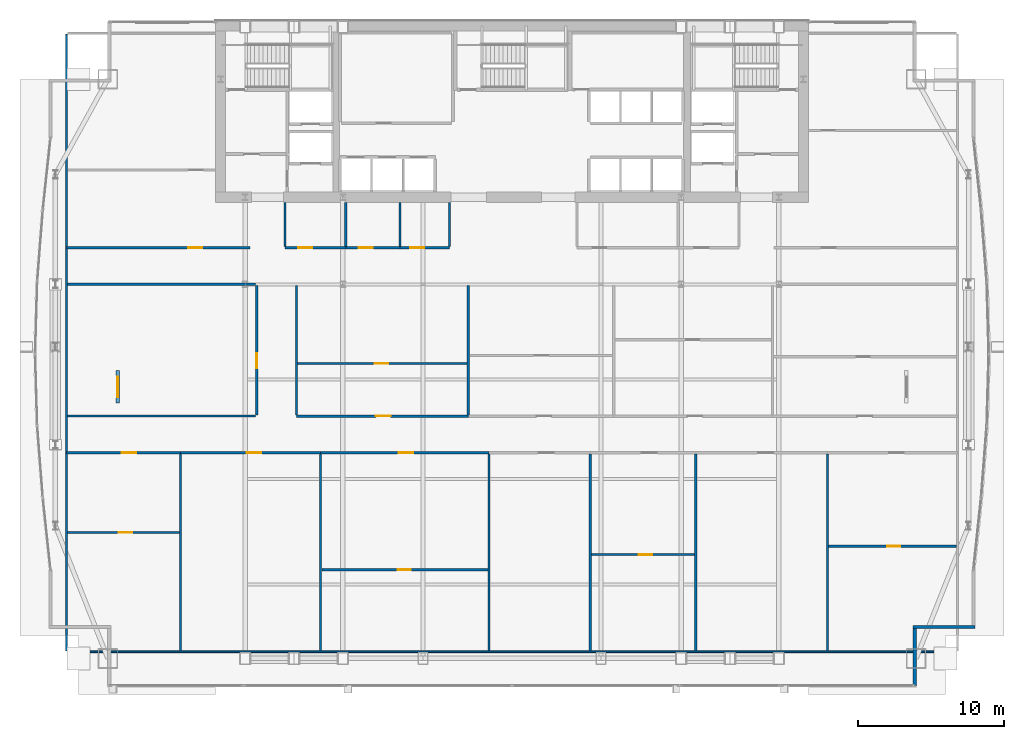
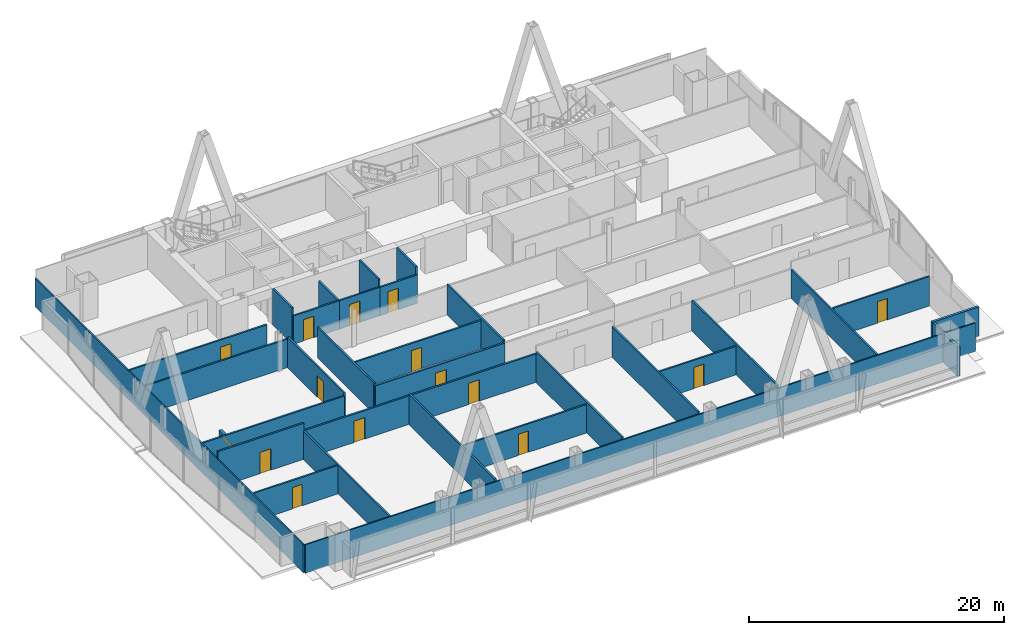
# One storey, part 25 of 30: 33 walls, 14 doors, 1 window, 15 openings.
"""IFC4 building model written with IfcOpenShell, lengths in metres."""

from ifc_helpers import new_model, si_unit, direction, frame, frame_2d, origin, place, context, subcontext, project, spatial, rectangle, extrude, material, layer, layer_set, type_object, element, fill, save


model = new_model("IFC4")

# Units and contexts
model_context = context("Model", 3, precision=1e-05, world=origin(), true_north=direction((0.0, 1.0)))
body_context = subcontext(model_context, "Body", "Model", "MODEL_VIEW")
ifc_project = project(units=[si_unit("LENGTHUNIT", "METRE"), si_unit("AREAUNIT", "SQUARE_METRE"), si_unit("VOLUMEUNIT", "CUBIC_METRE"), si_unit("PLANEANGLEUNIT", "RADIAN"), si_unit("MASSUNIT", "GRAM", prefix="KILO")], contexts=[model_context])

# Site, building, storey
site_placement = place(None, origin())
site = spatial("IfcSite", under=ifc_project, at=site_placement, CompositionType="ELEMENT")
building_placement = place(site_placement, origin())
building = spatial("IfcBuilding", under=site, at=building_placement, Name="Khoronbel Lancet Exchange", CompositionType="ELEMENT")
storey_placement = place(building_placement, frame((0.0, 0.0, 136.199951171875)))
storey = spatial("IfcBuildingStorey", under=building, at=storey_placement, Name="L33", CompositionType="ELEMENT", Elevation=136.199951171875)

# Walls
ifc_material_1 = material(Name="Precast concrete C40/50", Category="concrete")
ifc_layer_1 = layer(ifc_material_1, 0.25, Name="Precast concrete C40/50")
ifc_layer_set_1 = layer_set([ifc_layer_1], Name="Precast concrete C40/50")
wall_type_1 = type_object("IfcWallType", Name="WL-EXT250", PredefinedType="SOLIDWALL", material=ifc_layer_set_1)
wall_1_placement = place(storey_placement, frame((68.070068359375, 12.2900390625, 0.0), z_axis=(0.0, 0.0, 1.0), x_axis=(-1.0, 0.0, 0.0)))
element("IfcWall", 1, at=wall_1_placement, inside=storey, type_object=wall_type_1, Name="Level L33 notched-corner limestone pier 24", PredefinedType="SOLIDWALL", context=body_context, shape_type="SweptSolid", body=[
    extrude(rectangle(XDim=4.219970703125, YDim=0.219970703125, at=frame_2d((2.10986328125, 0.0))), origin(), (0.0, 0.0, 1.0), 2.830078125),
])
wall_2_placement = place(storey_placement, frame((63.9599609375, 12.179931640625, 0.0), z_axis=(0.0, 0.0, 1.0), x_axis=(0.0, -1.0, 0.0)))
element("IfcWall", 2, at=wall_2_placement, inside=storey, type_object=wall_type_1, Name="Level L33 notched-corner limestone pier 25", PredefinedType="SOLIDWALL", context=body_context, shape_type="SweptSolid", body=[
    extrude(rectangle(XDim=3.909912109375, YDim=0.219970703125, at=frame_2d((1.955078125, 0.0))), origin(), (0.0, 0.0, 1.0), 2.830078125),
])

# Wall, opening, window
ifc_material_2 = material(Name="Concrete C40/50", Category="concrete")
ifc_layer_2 = layer(ifc_material_2, 0.25, Name="Concrete C40/50")
ifc_layer_set_2 = layer_set([ifc_layer_2], Name="Concrete C40/50")
wall_type_2 = type_object("IfcWallType", Name="WL-PAR250", PredefinedType="PARAPET", material=ifc_layer_set_2)
wall_3_placement = place(storey_placement, frame((9.52490234375, 27.60009765625, 0.0), z_axis=(0.0, 0.0, 1.0), x_axis=(0.0, 1.0, 0.0)))
wall_3 = element("IfcWall", 3, at=wall_3_placement, inside=storey, type_object=wall_type_2, Name="Level L33 setback roof slab 1 smoke-ventilation skylight lantern curb", PredefinedType="PARAPET", context=body_context, shape_type="SweptSolid", body=[
    extrude(rectangle(XDim=2.199951171875, YDim=0.25, at=frame_2d((1.10009765625, 0.0))), origin(), (0.0, 0.0, 1.0), 0.880126953125),
])
opening_1_placement = place(wall_3_placement, frame((0.39990234375, 0.0, 0.159912109375)))
opening_1 = element("IfcOpeningElement", 4, at=opening_1_placement, cuts=wall_3, Name="Opening SK2", PredefinedType="OPENING", context=body_context, shape_type="SweptSolid", body=[
    extrude(rectangle(XDim=1.39990234375, YDim=0.5, at=frame_2d((0.699951171875, 0.25))), frame((0.0, 0.135009765625, 0.0), z_axis=(0.0, -1.0, 0.0), x_axis=(1.0, 0.0, 0.0)), (0.0, 0.0, 1.0), 0.27001953125),
])
ifc_material_3 = material(Name="Low-E Solar Control Insulating Glass", Category="glass")
window_type = type_object("IfcWindowType", Name="WIN-SK2", PartitioningType="SINGLE_PANEL", PredefinedType="SKYLIGHT", material=ifc_material_3)
window_placement = place(opening_1_placement, origin())
window = element("IfcWindow", 5, at=window_placement, inside=storey, type_object=window_type, Name="Level L33 setback roof slab 1 smoke-ventilation clerestory skylight", OverallHeight=0.5, OverallWidth=1.39990234375, PartitioningType="SINGLE_PANEL", PredefinedType="SKYLIGHT", context=body_context, shape_type="SweptSolid", body=[
    extrude(rectangle(XDim=1.39990234375, YDim=0.5, at=frame_2d((0.699951171875, 0.25))), frame((0.0, 0.030029296875, 0.0), z_axis=(0.0, -1.0, 0.0), x_axis=(1.0, 0.0, 0.0)), (0.0, 0.0, 1.0), 0.06005859375),
])
fill(opening_1, window)

# Walls
ifc_material_4 = material(Name="Acoustic Metal-Stud & Mineral-Wool Gypsum Partition 120 mm", Category="gypsum")
ifc_layer_3 = layer(ifc_material_4, 0.1201171875, Name="Acoustic Metal-Stud & Mineral-Wool Gypsum Partition 120 mm")
ifc_layer_set_3 = layer_set([ifc_layer_3], Name="Acoustic Metal-Stud & Mineral-Wool Gypsum Partition 120 mm")
wall_type_3 = type_object("IfcWallType", Name="WL-PRT120", PredefinedType="PARTITIONING", material=ifc_layer_set_3)
wall_4_placement = place(storey_placement, frame((20.949951171875, 38.280029296875, 0.0), z_axis=(0.0, 0.0, 1.0), x_axis=(0.0, 1.0, 0.0)))
element("IfcWall", 6, at=wall_4_placement, inside=storey, type_object=wall_type_3, Name="Level L33 interior partition PW-WC-0", PredefinedType="PARTITIONING", context=body_context, shape_type="SweptSolid", body=[
    extrude(rectangle(XDim=3.02001953125, YDim=0.14990234375, at=frame_2d((1.510009765625, 0.0))), origin(), (0.0, 0.0, 1.0), 3.43994140625),
])
wall_5_placement = place(storey_placement, frame((25.10009765625, 38.280029296875, 0.0), z_axis=(0.0, 0.0, 1.0), x_axis=(0.0, 1.0, 0.0)))
element("IfcWall", 7, at=wall_5_placement, inside=storey, type_object=wall_type_3, Name="Level L33 interior partition PW-WC-1", PredefinedType="PARTITIONING", context=body_context, shape_type="SweptSolid", body=[
    extrude(rectangle(XDim=3.02001953125, YDim=0.14990234375, at=frame_2d((1.510009765625, 0.0))), origin(), (0.0, 0.0, 1.0), 2.72998046875),
])
for number, where, z_axis, x_axis, name in (
    (8, (28.800048828125, 38.280029296875, 0.0), (0.0, 0.0, 1.0), (0.0, 1.0, 0.0), "Level L33 interior partition PW-WC-2"),
    (9, (32.179931640625, 38.280029296875, 0.0), (0.0, 0.0, 1.0), (0.0, 1.0, 0.0), "Level L33 interior partition PW-WC-3"),
):
    element("IfcWall", number, at=place(storey_placement, frame(where, z_axis=z_axis, x_axis=x_axis)), inside=storey, type_object=wall_type_3, Name=name, PredefinedType="PARTITIONING", context=body_context, shape_type="SweptSolid", body=[
        extrude(rectangle(XDim=3.02001953125, YDim=0.14990234375, at=frame_2d((1.510009765625, 0.0))), origin(), (0.0, 0.0, 1.0), 3.43994140625),
    ])

# Wall, opening, door
wall_6_placement = place(storey_placement, frame((6.094970703125, 18.7470703125, 0.0), z_axis=(0.0, 0.0, 1.0), x_axis=(1.0, 0.0, 0.0)))
wall_6 = element("IfcWall", 10, at=wall_6_placement, inside=storey, type_object=wall_type_3, Name="Level L33 interior partition PW-Z2S-H1", PredefinedType="PARTITIONING", context=body_context, shape_type="SweptSolid", body=[
    extrude(rectangle(XDim=7.644287109375, YDim=0.14990234375, at=frame_2d((3.822265625, 0.0))), origin(), (0.0, 0.0, 1.0), 2.72998046875),
])
opening_2_placement = place(wall_6_placement, frame((3.505126953125, 0.0, 0.0)))
opening_2 = element("IfcOpeningElement", 11, at=opening_2_placement, cuts=wall_6, Name="Opening D5", PredefinedType="OPENING", context=body_context, shape_type="SweptSolid", body=[
    extrude(rectangle(XDim=0.89990234375, YDim=2.050048828125, at=frame_2d((0.449951171875, 1.02490234375))), frame((0.0, 0.0849609375, 0.0), z_axis=(0.0, -1.0, 0.0), x_axis=(1.0, 0.0, 0.0)), (0.0, 0.0, 1.0), 0.169921875),
])
ifc_material_5 = material(Name="Acoustic Timber Pantry & Support Door", Category="wood")
door_type_1 = type_object("IfcDoorType", Name="DR-D5", OperationType="NOTDEFINED", PredefinedType="DOOR", material=ifc_material_5)
door_1_placement = place(opening_2_placement, origin())
door_1 = element("IfcDoor", 12, at=door_1_placement, inside=storey, type_object=door_type_1, Name="Z2S inner door 1 L33-1", OperationType="SINGLE_SWING_LEFT", OverallHeight=2.050048828125, OverallWidth=0.89990234375, PredefinedType="DOOR", context=body_context, shape_type="SweptSolid", body=[
    extrude(rectangle(XDim=0.89990234375, YDim=2.050048828125, at=frame_2d((0.449951171875, 1.02490234375))), frame((0.0, 0.02490234375, 0.0), z_axis=(0.0, -1.0, 0.0), x_axis=(1.0, 0.0, 0.0)), (0.0, 0.0, 1.0), 0.050048828125),
])
fill(opening_2, door_1)

wall_7_placement = place(storey_placement, frame((23.4619140625, 16.207275390625, 0.0), z_axis=(0.0, 0.0, 1.0), x_axis=(1.0, 0.0, 0.0)))
wall_7 = element("IfcWall", 13, at=wall_7_placement, inside=storey, type_object=wall_type_3, Name="Level L33 interior partition PW-Z2S-H3", PredefinedType="PARTITIONING", context=body_context, shape_type="SweptSolid", body=[
    extrude(rectangle(XDim=11.34423828125, YDim=0.14990234375, at=frame_2d((5.672119140625, 0.0))), origin(), (0.0, 0.0, 1.0), 2.72998046875),
])
opening_3_placement = place(wall_7_placement, frame((5.177001953125, 0.0, 0.0)))
opening_3 = element("IfcOpeningElement", 14, at=opening_3_placement, cuts=wall_7, Name="Opening D5", PredefinedType="OPENING", context=body_context, shape_type="SweptSolid", body=[
    extrude(rectangle(XDim=0.89990234375, YDim=2.050048828125, at=frame_2d((0.449951171875, 1.02490234375))), frame((0.0, 0.0849609375, 0.0), z_axis=(0.0, -1.0, 0.0), x_axis=(1.0, 0.0, 0.0)), (0.0, 0.0, 1.0), 0.169921875),
])
door_2_placement = place(opening_3_placement, origin())
door_2 = element("IfcDoor", 15, at=door_2_placement, inside=storey, type_object=door_type_1, Name="Z2S inner door 3 L33-1", OperationType="SINGLE_SWING_RIGHT", OverallHeight=2.050048828125, OverallWidth=0.89990234375, PredefinedType="DOOR", context=body_context, shape_type="SweptSolid", body=[
    extrude(rectangle(XDim=0.89990234375, YDim=2.050048828125, at=frame_2d((0.449951171875, 1.02490234375))), frame((0.0, 0.02490234375, 0.0), z_axis=(0.0, -1.0, 0.0), x_axis=(1.0, 0.0, 0.0)), (0.0, 0.0, 1.0), 0.050048828125),
])
fill(opening_3, door_2)

wall_8_placement = place(storey_placement, frame((41.86865234375, 17.237548828125, 0.0), z_axis=(0.0, 0.0, 1.0), x_axis=(1.0, 0.0, 0.0)))
wall_8 = element("IfcWall", 16, at=wall_8_placement, inside=storey, type_object=wall_type_3, Name="Level L33 interior partition PW-Z2S-H5", PredefinedType="PARTITIONING", context=body_context, shape_type="SweptSolid", body=[
    extrude(rectangle(XDim=7.053955078125, YDim=0.14990234375, at=frame_2d((3.52685546875, 0.0))), origin(), (0.0, 0.0, 1.0), 2.72998046875),
])
opening_4_placement = place(wall_8_placement, frame((3.246337890625, 0.0, 0.0)))
opening_4 = element("IfcOpeningElement", 17, at=opening_4_placement, cuts=wall_8, Name="Opening D5", PredefinedType="OPENING", context=body_context, shape_type="SweptSolid", body=[
    extrude(rectangle(XDim=0.89990234375, YDim=2.050048828125, at=frame_2d((0.449951171875, 1.02490234375))), frame((0.0, 0.0849609375, 0.0), z_axis=(0.0, -1.0, 0.0), x_axis=(1.0, 0.0, 0.0)), (0.0, 0.0, 1.0), 0.169921875),
])
door_3_placement = place(opening_4_placement, origin())
door_3 = element("IfcDoor", 18, at=door_3_placement, inside=storey, type_object=door_type_1, Name="Z2S inner door 5 L33-1", OperationType="SINGLE_SWING_LEFT", OverallHeight=2.050048828125, OverallWidth=0.89990234375, PredefinedType="DOOR", context=body_context, shape_type="SweptSolid", body=[
    extrude(rectangle(XDim=0.89990234375, YDim=2.050048828125, at=frame_2d((0.449951171875, 1.02490234375))), frame((0.0, 0.02490234375, 0.0), z_axis=(0.0, -1.0, 0.0), x_axis=(1.0, 0.0, 0.0)), (0.0, 0.0, 1.0), 0.050048828125),
])
fill(opening_4, door_3)

wall_9_placement = place(storey_placement, frame((58.0703125, 17.81103515625, 0.0), z_axis=(0.0, 0.0, 1.0), x_axis=(1.0, 0.0, 0.0)))
wall_9 = element("IfcWall", 19, at=wall_9_placement, inside=storey, type_object=wall_type_3, Name="Level L33 interior partition PW-Z2S-H7", PredefinedType="PARTITIONING", context=body_context, shape_type="SweptSolid", body=[
    extrude(rectangle(XDim=8.734619140625, YDim=0.14990234375, at=frame_2d((4.3671875, 0.0))), origin(), (0.0, 0.0, 1.0), 2.830078125),
])
opening_5_placement = place(wall_9_placement, frame((3.995849609375, 0.0, 0.0)))
opening_5 = element("IfcOpeningElement", 20, at=opening_5_placement, cuts=wall_9, Name="Opening D5", PredefinedType="OPENING", context=body_context, shape_type="SweptSolid", body=[
    extrude(rectangle(XDim=0.89990234375, YDim=2.050048828125, at=frame_2d((0.449951171875, 1.02490234375))), frame((0.0, 0.0849609375, 0.0), z_axis=(0.0, -1.0, 0.0), x_axis=(1.0, 0.0, 0.0)), (0.0, 0.0, 1.0), 0.169921875),
])
door_4_placement = place(opening_5_placement, origin())
door_4 = element("IfcDoor", 21, at=door_4_placement, inside=storey, type_object=door_type_1, Name="Z2S inner door 7 L33-1", OperationType="SINGLE_SWING_RIGHT", OverallHeight=2.050048828125, OverallWidth=0.89990234375, PredefinedType="DOOR", context=body_context, shape_type="SweptSolid", body=[
    extrude(rectangle(XDim=0.89990234375, YDim=2.050048828125, at=frame_2d((0.449951171875, 1.02490234375))), frame((0.0, 0.02490234375, 0.0), z_axis=(0.0, -1.0, 0.0), x_axis=(1.0, 0.0, 0.0)), (0.0, 0.0, 1.0), 0.050048828125),
])
fill(opening_5, door_4)

wall_10_placement = place(storey_placement, frame((21.81005859375, 30.300048828125, 0.0), z_axis=(0.0, 0.0, 1.0), x_axis=(1.0, 0.0, 0.0)))
wall_10 = element("IfcWall", 22, at=wall_10_placement, inside=storey, type_object=wall_type_3, Name="Level L33 interior partition PW-Z2N-H1", PredefinedType="PARTITIONING", context=body_context, shape_type="SweptSolid", body=[
    extrude(rectangle(XDim=11.576416015625, YDim=0.14990234375, at=frame_2d((5.7880859375, 0.0))), origin(), (0.0, 0.0, 1.0), 2.72998046875),
])
opening_6_placement = place(wall_10_placement, frame((5.281494140625, 0.0, 0.0)))
opening_6 = element("IfcOpeningElement", 23, at=opening_6_placement, cuts=wall_10, Name="Opening D5", PredefinedType="OPENING", context=body_context, shape_type="SweptSolid", body=[
    extrude(rectangle(XDim=0.89990234375, YDim=2.050048828125, at=frame_2d((0.449951171875, 1.02490234375))), frame((0.0, 0.0849609375, 0.0), z_axis=(0.0, -1.0, 0.0), x_axis=(1.0, 0.0, 0.0)), (0.0, 0.0, 1.0), 0.169921875),
])
door_5_placement = place(opening_6_placement, origin())
door_5 = element("IfcDoor", 24, at=door_5_placement, inside=storey, type_object=door_type_1, Name="Z2N inner door 1 L33-1", OperationType="SINGLE_SWING_LEFT", OverallHeight=2.050048828125, OverallWidth=0.89990234375, PredefinedType="DOOR", context=body_context, shape_type="SweptSolid", body=[
    extrude(rectangle(XDim=0.89990234375, YDim=2.050048828125, at=frame_2d((0.449951171875, 1.02490234375))), frame((0.0, 0.02490234375, 0.0), z_axis=(0.0, -1.0, 0.0), x_axis=(1.0, 0.0, 0.0)), (0.0, 0.0, 1.0), 0.050048828125),
])
fill(opening_6, door_5)

# Walls
wall_11_placement = place(storey_placement, frame((6.030029296875, 10.6650390625, 0.0), z_axis=(0.0, 0.0, 1.0), x_axis=(0.0, 1.0, 0.0)))
element("IfcWall", 25, at=wall_11_placement, inside=storey, type_object=wall_type_3, Name="Level L33 interior partition PW-LIN-W", PredefinedType="PARTITIONING", context=body_context, shape_type="SweptSolid", body=[
    extrude(rectangle(XDim=42.10986328125, YDim=0.1201171875, at=frame_2d((21.054931640625, 0.0))), origin(), (0.0, 0.0, 1.0), 2.72998046875),
])
wall_12_placement = place(storey_placement, frame((6.094970703125, 10.60009765625, 0.0), z_axis=(0.0, 0.0, 1.0), x_axis=(1.0, 0.0, 0.0)))
element("IfcWall", 26, at=wall_12_placement, inside=storey, type_object=wall_type_3, Name="Level L33 interior partition PW-LIN-S", PredefinedType="PARTITIONING", context=body_context, shape_type="SweptSolid", body=[
    extrude(rectangle(XDim=60.7099609375, YDim=0.1201171875, at=frame_2d((30.35498046875, 0.0))), origin(), (0.0, 0.0, 1.0), 2.72998046875),
])

# Wall, opening, door
ifc_material_6 = material(Name="Fire-Rated Twin-Stud Acoustic Gypsum Partition 150 mm", Category="gypsum")
ifc_layer_4 = layer(ifc_material_6, 0.14990234375, Name="Fire-Rated Twin-Stud Acoustic Gypsum Partition 150 mm")
ifc_layer_set_4 = layer_set([ifc_layer_4], Name="Fire-Rated Twin-Stud Acoustic Gypsum Partition 150 mm")
wall_type_4 = type_object("IfcWallType", Name="WL-PRT150C", PredefinedType="PARTITIONING", material=ifc_layer_set_4)
wall_13_placement = place(storey_placement, frame((20.949951171875, 38.199951171875, 0.0), z_axis=(0.0, 0.0, 1.0), x_axis=(1.0, 0.0, 0.0)))
wall_13 = element("IfcWall", 27, at=wall_13_placement, inside=storey, type_object=wall_type_4, Name="Level L33 interior partition PW-WC-S1", PredefinedType="PARTITIONING", context=body_context, shape_type="SweptSolid", body=[
    extrude(rectangle(XDim=4.150146484375, YDim=0.14990234375, at=frame_2d((2.0751953125, 0.0))), origin(), (0.0, 0.0, 1.0), 2.72998046875),
])
opening_7_placement = place(wall_13_placement, frame((0.89990234375, 0.0, 0.0)))
opening_7 = element("IfcOpeningElement", 28, at=opening_7_placement, cuts=wall_13, Name="Opening D4", PredefinedType="OPENING", context=body_context, shape_type="SweptSolid", body=[
    extrude(rectangle(XDim=0.949951171875, YDim=2.050048828125, at=frame_2d((0.47509765625, 1.02490234375))), frame((0.0, 0.0849609375, 0.0), z_axis=(0.0, -1.0, 0.0), x_axis=(1.0, 0.0, 0.0)), (0.0, 0.0, 1.0), 0.169921875),
])
ifc_material_7 = material(Name="Moisture-Resistant HPL Washroom Door", Category="wood")
door_type_2 = type_object("IfcDoorType", Name="DR-D4", OperationType="NOTDEFINED", PredefinedType="DOOR", material=ifc_material_7)
door_6_placement = place(opening_7_placement, origin())
door_6 = element("IfcDoor", 29, at=door_6_placement, inside=storey, type_object=door_type_2, Name="Male washroom door L33-1", OperationType="SINGLE_SWING_LEFT", OverallHeight=2.050048828125, OverallWidth=0.949951171875, PredefinedType="DOOR", context=body_context, shape_type="SweptSolid", body=[
    extrude(rectangle(XDim=0.949951171875, YDim=2.050048828125, at=frame_2d((0.47509765625, 1.02490234375))), frame((0.0, 0.02490234375, 0.0), z_axis=(0.0, -1.0, 0.0), x_axis=(1.0, 0.0, 0.0)), (0.0, 0.0, 1.0), 0.050048828125),
])
fill(opening_7, door_6)

wall_14_placement = place(storey_placement, frame((25.10009765625, 38.199951171875, 0.0), z_axis=(0.0, 0.0, 1.0), x_axis=(1.0, 0.0, 0.0)))
wall_14 = element("IfcWall", 30, at=wall_14_placement, inside=storey, type_object=wall_type_4, Name="Level L33 interior partition PW-WC-S2", PredefinedType="PARTITIONING", context=body_context, shape_type="SweptSolid", body=[
    extrude(rectangle(XDim=3.699951171875, YDim=0.14990234375, at=frame_2d((1.85009765625, 0.0))), origin(), (0.0, 0.0, 1.0), 2.72998046875),
])
opening_8_placement = place(wall_14_placement, frame((0.89990234375, 0.0, 0.0)))
opening_8 = element("IfcOpeningElement", 31, at=opening_8_placement, cuts=wall_14, Name="Opening D4", PredefinedType="OPENING", context=body_context, shape_type="SweptSolid", body=[
    extrude(rectangle(XDim=0.949951171875, YDim=2.050048828125, at=frame_2d((0.47509765625, 1.02490234375))), frame((0.0, 0.0849609375, 0.0), z_axis=(0.0, -1.0, 0.0), x_axis=(1.0, 0.0, 0.0)), (0.0, 0.0, 1.0), 0.169921875),
])
door_7_placement = place(opening_8_placement, origin())
door_7 = element("IfcDoor", 32, at=door_7_placement, inside=storey, type_object=door_type_2, Name="Female washroom door L33-1", OperationType="SINGLE_SWING_RIGHT", OverallHeight=2.050048828125, OverallWidth=0.949951171875, PredefinedType="DOOR", context=body_context, shape_type="SweptSolid", body=[
    extrude(rectangle(XDim=0.949951171875, YDim=2.050048828125, at=frame_2d((0.47509765625, 1.02490234375))), frame((0.0, 0.02490234375, 0.0), z_axis=(0.0, -1.0, 0.0), x_axis=(1.0, 0.0, 0.0)), (0.0, 0.0, 1.0), 0.050048828125),
])
fill(opening_8, door_7)

wall_15_placement = place(storey_placement, frame((28.800048828125, 38.199951171875, 0.0), z_axis=(0.0, 0.0, 1.0), x_axis=(1.0, 0.0, 0.0)))
wall_15 = element("IfcWall", 33, at=wall_15_placement, inside=storey, type_object=wall_type_4, Name="Level L33 interior partition PW-WC-S3", PredefinedType="PARTITIONING", context=body_context, shape_type="SweptSolid", body=[
    extrude(rectangle(XDim=3.3798828125, YDim=0.14990234375, at=frame_2d((1.68994140625, 0.0))), origin(), (0.0, 0.0, 1.0), 2.72998046875),
])
opening_9_placement = place(wall_15_placement, frame((0.699951171875, 0.0, 0.0)))
opening_9 = element("IfcOpeningElement", 34, at=opening_9_placement, cuts=wall_15, Name="Opening D4", PredefinedType="OPENING", context=body_context, shape_type="SweptSolid", body=[
    extrude(rectangle(XDim=0.949951171875, YDim=2.050048828125, at=frame_2d((0.47509765625, 1.02490234375))), frame((0.0, 0.0849609375, 0.0), z_axis=(0.0, -1.0, 0.0), x_axis=(1.0, 0.0, 0.0)), (0.0, 0.0, 1.0), 0.169921875),
])
door_8_placement = place(opening_9_placement, origin())
door_8 = element("IfcDoor", 35, at=door_8_placement, inside=storey, type_object=door_type_2, Name="Accessible WC door L33-1", OperationType="SINGLE_SWING_LEFT", OverallHeight=2.050048828125, OverallWidth=0.949951171875, PredefinedType="DOOR", context=body_context, shape_type="SweptSolid", body=[
    extrude(rectangle(XDim=0.949951171875, YDim=2.050048828125, at=frame_2d((0.47509765625, 1.02490234375))), frame((0.0, 0.02490234375, 0.0), z_axis=(0.0, -1.0, 0.0), x_axis=(1.0, 0.0, 0.0)), (0.0, 0.0, 1.0), 0.050048828125),
])
fill(opening_9, door_8)

wall_16_placement = place(storey_placement, frame((6.030029296875, 38.199951171875, 0.0), z_axis=(0.0, 0.0, 1.0), x_axis=(1.0, 0.0, 0.0)))
wall_16 = element("IfcWall", 36, at=wall_16_placement, inside=storey, type_object=wall_type_4, Name="Level L33 interior partition PW-NW-S", PredefinedType="PARTITIONING", context=body_context, shape_type="SweptSolid", body=[
    extrude(rectangle(XDim=12.52001953125, YDim=0.14990234375, at=frame_2d((6.260009765625, 0.0))), origin(), (0.0, 0.0, 1.0), 2.72998046875),
])
opening_10_placement = place(wall_16_placement, frame((8.320068359375, 0.0, 0.0)))
opening_10 = element("IfcOpeningElement", 37, at=opening_10_placement, cuts=wall_16, Name="Opening D1", PredefinedType="OPENING", context=body_context, shape_type="SweptSolid", body=[
    extrude(rectangle(XDim=0.949951171875, YDim=2.050048828125, at=frame_2d((0.47509765625, 1.02490234375))), frame((0.0, 0.0849609375, 0.0), z_axis=(0.0, -1.0, 0.0), x_axis=(1.0, 0.0, 0.0)), (0.0, 0.0, 1.0), 0.169921875),
])
ifc_material_8 = material(Name="Acoustic Veneered Timber & Bronze Frame Door", Category="wood")
door_type_3 = type_object("IfcDoorType", Name="DR-D1", OperationType="NOTDEFINED", PredefinedType="DOOR", material=ifc_material_8)
door_9_placement = place(opening_10_placement, origin())
door_9 = element("IfcDoor", 38, at=door_9_placement, inside=storey, type_object=door_type_3, Name="NW corner room door L33-1", OperationType="SINGLE_SWING_RIGHT", OverallHeight=2.050048828125, OverallWidth=0.949951171875, PredefinedType="DOOR", context=body_context, shape_type="SweptSolid", body=[
    extrude(rectangle(XDim=0.949951171875, YDim=2.050048828125, at=frame_2d((0.47509765625, 1.02490234375))), frame((0.0, 0.02490234375, 0.0), z_axis=(0.0, -1.0, 0.0), x_axis=(1.0, 0.0, 0.0)), (0.0, 0.0, 1.0), 0.050048828125),
])
fill(opening_10, door_9)

# Walls
wall_17_placement = place(storey_placement, frame((13.819091796875, 10.6650390625, 0.0), z_axis=(0.0, 0.0, 1.0), x_axis=(0.0, 1.0, 0.0)))
element("IfcWall", 39, at=wall_17_placement, inside=storey, type_object=wall_type_4, Name="Level L33 interior partition PW-Z2S-V1", PredefinedType="PARTITIONING", context=body_context, shape_type="SweptSolid", body=[
    extrude(rectangle(XDim=13.449951171875, YDim=0.14990234375, at=frame_2d((6.72509765625, 0.0))), origin(), (0.0, 0.0, 1.0), 2.72998046875),
])
for number, where, z_axis, x_axis, name in (
    (40, (23.382080078125, 10.6650390625, 0.0), (0.0, 0.0, 1.0), (0.0, 1.0, 0.0), "Level L33 interior partition PW-Z2S-V2"),
    (41, (34.88623046875, 10.6650390625, 0.0), (0.0, 0.0, 1.0), (0.0, 1.0, 0.0), "Level L33 interior partition PW-Z2S-V3"),
    (42, (41.78857421875, 10.6650390625, 0.0), (0.0, 0.0, 1.0), (0.0, 1.0, 0.0), "Level L33 interior partition PW-Z2S-V4"),
    (43, (49.002685546875, 10.6650390625, 0.0), (0.0, 0.0, 1.0), (0.0, 1.0, 0.0), "Level L33 interior partition PW-Z2S-V5"),
):
    element("IfcWall", number, at=place(storey_placement, frame(where, z_axis=z_axis, x_axis=x_axis)), inside=storey, type_object=wall_type_4, Name=name, PredefinedType="PARTITIONING", context=body_context, shape_type="SweptSolid", body=[
        extrude(rectangle(XDim=13.449951171875, YDim=0.14990234375, at=frame_2d((6.72509765625, 0.0))), origin(), (0.0, 0.0, 1.0), 2.929931640625),
    ])
wall_18_placement = place(storey_placement, frame((57.990234375, 10.6650390625, 0.0), z_axis=(0.0, 0.0, 1.0), x_axis=(0.0, 1.0, 0.0)))
element("IfcWall", 44, at=wall_18_placement, inside=storey, type_object=wall_type_4, Name="Level L33 interior partition PW-Z2S-V6", PredefinedType="PARTITIONING", context=body_context, shape_type="SweptSolid", body=[
    extrude(rectangle(XDim=13.449951171875, YDim=0.14990234375, at=frame_2d((6.72509765625, 0.0))), origin(), (0.0, 0.0, 1.0), 2.72998046875),
])

# Wall, opening, door
wall_19_placement = place(storey_placement, frame((19.02001953125, 26.780029296875, 0.0), z_axis=(0.0, 0.0, 1.0), x_axis=(0.0, 1.0, 0.0)))
wall_19 = element("IfcWall", 45, at=wall_19_placement, inside=storey, type_object=wall_type_4, Name="Level L33 interior partition PW-Z2-WLK", PredefinedType="PARTITIONING", context=body_context, shape_type="SweptSolid", body=[
    extrude(rectangle(XDim=8.840087890625, YDim=0.14990234375, at=frame_2d((4.419921875, 0.0))), origin(), (0.0, 0.0, 1.0), 2.929931640625),
])
opening_11_placement = place(wall_19_placement, frame((3.199951171875, 0.0, 0.0)))
opening_11 = element("IfcOpeningElement", 46, at=opening_11_placement, cuts=wall_19, Name="Opening D2", PredefinedType="OPENING", context=body_context, shape_type="SweptSolid", body=[
    extrude(rectangle(XDim=1.0, YDim=2.050048828125, at=frame_2d((0.5, 1.02490234375))), frame((0.0, 0.0849609375, 0.0), z_axis=(0.0, -1.0, 0.0), x_axis=(1.0, 0.0, 0.0)), (0.0, 0.0, 1.0), 0.169921875),
])
door_type_4 = type_object("IfcDoorType", Name="DR-D2", OperationType="NOTDEFINED", PredefinedType="DOOR", material=ifc_material_8)
door_10_placement = place(opening_11_placement, origin())
door_10 = element("IfcDoor", 47, at=door_10_placement, inside=storey, type_object=door_type_4, Name="West mid-band room door L33-1", OperationType="SINGLE_SWING_LEFT", OverallHeight=2.050048828125, OverallWidth=1.0, PredefinedType="DOOR", context=body_context, shape_type="SweptSolid", body=[
    extrude(rectangle(XDim=1.0, YDim=2.050048828125, at=frame_2d((0.5, 1.02490234375))), frame((0.0, 0.02490234375, 0.0), z_axis=(0.0, -1.0, 0.0), x_axis=(1.0, 0.0, 0.0)), (0.0, 0.0, 1.0), 0.050048828125),
])
fill(opening_11, door_10)

# Walls
for number, where, z_axis, x_axis, name in (
    (48, (6.094970703125, 26.699951171875, 0.0), (0.0, 0.0, 1.0), (1.0, 0.0, 0.0), "Level L33 interior partition PW-Z2-WS"),
    (49, (6.094970703125, 35.699951171875, 0.0), (0.0, 0.0, 1.0), (1.0, 0.0, 0.0), "Level L33 interior partition PW-Z2-WN"),
):
    element("IfcWall", number, at=place(storey_placement, frame(where, z_axis=z_axis, x_axis=x_axis)), inside=storey, type_object=wall_type_4, Name=name, PredefinedType="PARTITIONING", context=body_context, shape_type="SweptSolid", body=[
        extrude(rectangle(XDim=12.844970703125, YDim=0.14990234375, at=frame_2d((6.42236328125, 0.0))), origin(), (0.0, 0.0, 1.0), 2.72998046875),
    ])
for number, where, z_axis, x_axis, name in (
    (50, (21.72998046875, 26.784912109375, 0.0), (0.0, 0.0, 1.0), (0.0, 1.0, 0.0), "Level L33 interior partition PW-Z2-ELK"),
    (51, (33.46630859375, 26.784912109375, 0.0), (0.0, 0.0, 1.0), (0.0, 1.0, 0.0), "Level L33 interior partition PW-Z2N-V1"),
):
    element("IfcWall", number, at=place(storey_placement, frame(where, z_axis=z_axis, x_axis=x_axis)), inside=storey, type_object=wall_type_4, Name=name, PredefinedType="PARTITIONING", context=body_context, shape_type="SweptSolid", body=[
        extrude(rectangle(XDim=8.835205078125, YDim=0.14990234375, at=frame_2d((4.41748046875, 0.0))), origin(), (0.0, 0.0, 1.0), 2.929931640625),
    ])

# Wall, opening, door
ifc_material_9 = material(Name="Fire-Rated Twin-Stud Acoustic Gypsum Partition 160 mm", Category="gypsum")
ifc_layer_5 = layer(ifc_material_9, 0.159912109375, Name="Fire-Rated Twin-Stud Acoustic Gypsum Partition 160 mm")
ifc_layer_set_5 = layer_set([ifc_layer_5], Name="Fire-Rated Twin-Stud Acoustic Gypsum Partition 160 mm")
wall_type_5 = type_object("IfcWallType", Name="WL-PRT160C", PredefinedType="PARTITIONING", material=ifc_layer_set_5)
wall_20_placement = place(storey_placement, frame((6.030029296875, 24.199951171875, 0.0), z_axis=(0.0, 0.0, 1.0), x_axis=(1.0, 0.0, 0.0)))
wall_20 = element("IfcWall", 52, at=wall_20_placement, inside=storey, type_object=wall_type_5, Name="Level L33 interior partition PW-Z2S-COR1", PredefinedType="PARTITIONING", context=body_context, shape_type="SweptSolid", body=[
    extrude(rectangle(XDim=7.7890625, YDim=0.159912109375, at=frame_2d((3.89453125, 0.0))), origin(), (0.0, 0.0, 1.0), 3.43994140625),
])
opening_12_placement = place(wall_20_placement, frame((3.771484375, 0.0, 0.0)))
opening_12 = element("IfcOpeningElement", 53, at=opening_12_placement, cuts=wall_20, Name="Opening D2", PredefinedType="OPENING", context=body_context, shape_type="SweptSolid", body=[
    extrude(rectangle(XDim=1.0, YDim=2.050048828125, at=frame_2d((0.5, 1.02490234375))), frame((0.0, 0.08984375, 0.0), z_axis=(0.0, -1.0, 0.0), x_axis=(1.0, 0.0, 0.0)), (0.0, 0.0, 1.0), 0.179931640625),
])
door_11_placement = place(opening_12_placement, origin())
door_11 = element("IfcDoor", 54, at=door_11_placement, inside=storey, type_object=door_type_4, Name="Z2S bay 1 door L33-1", OperationType="SINGLE_SWING_RIGHT", OverallHeight=2.050048828125, OverallWidth=1.0, PredefinedType="DOOR", context=body_context, shape_type="SweptSolid", body=[
    extrude(rectangle(XDim=1.0, YDim=2.050048828125, at=frame_2d((0.5, 1.02490234375))), frame((0.0, 0.02490234375, 0.0), z_axis=(0.0, -1.0, 0.0), x_axis=(1.0, 0.0, 0.0)), (0.0, 0.0, 1.0), 0.050048828125),
])
fill(opening_12, door_11)

wall_21_placement = place(storey_placement, frame((13.819091796875, 24.199951171875, 0.0), z_axis=(0.0, 0.0, 1.0), x_axis=(1.0, 0.0, 0.0)))
wall_21 = element("IfcWall", 55, at=wall_21_placement, inside=storey, type_object=wall_type_5, Name="Level L33 interior partition PW-Z2S-COR2", PredefinedType="PARTITIONING", context=body_context, shape_type="SweptSolid", body=[
    extrude(rectangle(XDim=9.56298828125, YDim=0.159912109375, at=frame_2d((4.781494140625, 0.0))), origin(), (0.0, 0.0, 1.0), 2.72998046875),
])
opening_13_placement = place(wall_21_placement, frame((4.516357421875, 0.0, 0.0)))
opening_13 = element("IfcOpeningElement", 56, at=opening_13_placement, cuts=wall_21, Name="Opening D2", PredefinedType="OPENING", context=body_context, shape_type="SweptSolid", body=[
    extrude(rectangle(XDim=1.0, YDim=2.050048828125, at=frame_2d((0.5, 1.02490234375))), frame((0.0, 0.08984375, 0.0), z_axis=(0.0, -1.0, 0.0), x_axis=(1.0, 0.0, 0.0)), (0.0, 0.0, 1.0), 0.179931640625),
])
door_12_placement = place(opening_13_placement, origin())
door_12 = element("IfcDoor", 57, at=door_12_placement, inside=storey, type_object=door_type_4, Name="Z2S bay 2 door L33-1", OperationType="SINGLE_SWING_RIGHT", OverallHeight=2.050048828125, OverallWidth=1.0, PredefinedType="DOOR", context=body_context, shape_type="SweptSolid", body=[
    extrude(rectangle(XDim=1.0, YDim=2.050048828125, at=frame_2d((0.5, 1.02490234375))), frame((0.0, 0.02490234375, 0.0), z_axis=(0.0, -1.0, 0.0), x_axis=(1.0, 0.0, 0.0)), (0.0, 0.0, 1.0), 0.050048828125),
])
fill(opening_13, door_12)

wall_22_placement = place(storey_placement, frame((23.382080078125, 24.199951171875, 0.0), z_axis=(0.0, 0.0, 1.0), x_axis=(1.0, 0.0, 0.0)))
wall_22 = element("IfcWall", 58, at=wall_22_placement, inside=storey, type_object=wall_type_5, Name="Level L33 interior partition PW-Z2S-COR3", PredefinedType="PARTITIONING", context=body_context, shape_type="SweptSolid", body=[
    extrude(rectangle(XDim=11.504150390625, YDim=0.159912109375, at=frame_2d((5.751953125, 0.0))), origin(), (0.0, 0.0, 1.0), 2.72998046875),
])
opening_14_placement = place(wall_22_placement, frame((5.331787109375, 0.0, 0.0)))
opening_14 = element("IfcOpeningElement", 59, at=opening_14_placement, cuts=wall_22, Name="Opening D2", PredefinedType="OPENING", context=body_context, shape_type="SweptSolid", body=[
    extrude(rectangle(XDim=1.0, YDim=2.050048828125, at=frame_2d((0.5, 1.02490234375))), frame((0.0, 0.08984375, 0.0), z_axis=(0.0, -1.0, 0.0), x_axis=(1.0, 0.0, 0.0)), (0.0, 0.0, 1.0), 0.179931640625),
])
door_13_placement = place(opening_14_placement, origin())
door_13 = element("IfcDoor", 60, at=door_13_placement, inside=storey, type_object=door_type_4, Name="Z2S bay 3 door L33-1", OperationType="SINGLE_SWING_LEFT", OverallHeight=2.050048828125, OverallWidth=1.0, PredefinedType="DOOR", context=body_context, shape_type="SweptSolid", body=[
    extrude(rectangle(XDim=1.0, YDim=2.050048828125, at=frame_2d((0.5, 1.02490234375))), frame((0.0, 0.02490234375, 0.0), z_axis=(0.0, -1.0, 0.0), x_axis=(1.0, 0.0, 0.0)), (0.0, 0.0, 1.0), 0.050048828125),
])
fill(opening_14, door_13)

wall_23_placement = place(storey_placement, frame((21.72998046875, 26.699951171875, 0.0), z_axis=(0.0, 0.0, 1.0), x_axis=(1.0, 0.0, 0.0)))
wall_23 = element("IfcWall", 61, at=wall_23_placement, inside=storey, type_object=wall_type_5, Name="Level L33 interior partition PW-Z2N-COR1", PredefinedType="PARTITIONING", context=body_context, shape_type="SweptSolid", body=[
    extrude(rectangle(XDim=11.736328125, YDim=0.159912109375, at=frame_2d((5.8681640625, 0.0))), origin(), (0.0, 0.0, 1.0), 2.72998046875),
])
opening_15_placement = place(wall_23_placement, frame((5.42919921875, 0.0, 0.0)))
opening_15 = element("IfcOpeningElement", 62, at=opening_15_placement, cuts=wall_23, Name="Opening D2", PredefinedType="OPENING", context=body_context, shape_type="SweptSolid", body=[
    extrude(rectangle(XDim=1.0, YDim=2.050048828125, at=frame_2d((0.5, 1.02490234375))), frame((0.0, 0.08984375, 0.0), z_axis=(0.0, -1.0, 0.0), x_axis=(1.0, 0.0, 0.0)), (0.0, 0.0, 1.0), 0.179931640625),
])
door_14_placement = place(opening_15_placement, origin())
door_14 = element("IfcDoor", 63, at=door_14_placement, inside=storey, type_object=door_type_4, Name="Z2N bay 1 door L33-1", OperationType="SINGLE_SWING_RIGHT", OverallHeight=2.050048828125, OverallWidth=1.0, PredefinedType="DOOR", context=body_context, shape_type="SweptSolid", body=[
    extrude(rectangle(XDim=1.0, YDim=2.050048828125, at=frame_2d((0.5, 1.02490234375))), frame((0.0, 0.02490234375, 0.0), z_axis=(0.0, -1.0, 0.0), x_axis=(1.0, 0.0, 0.0)), (0.0, 0.0, 1.0), 0.050048828125),
])
fill(opening_15, door_14)

save(model, "model.ifc")
